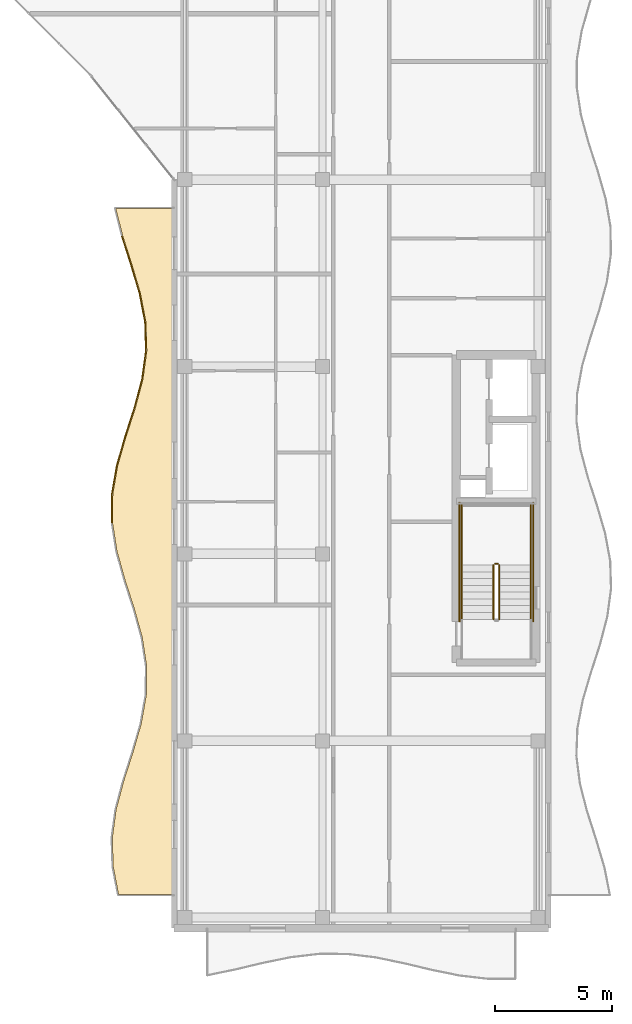
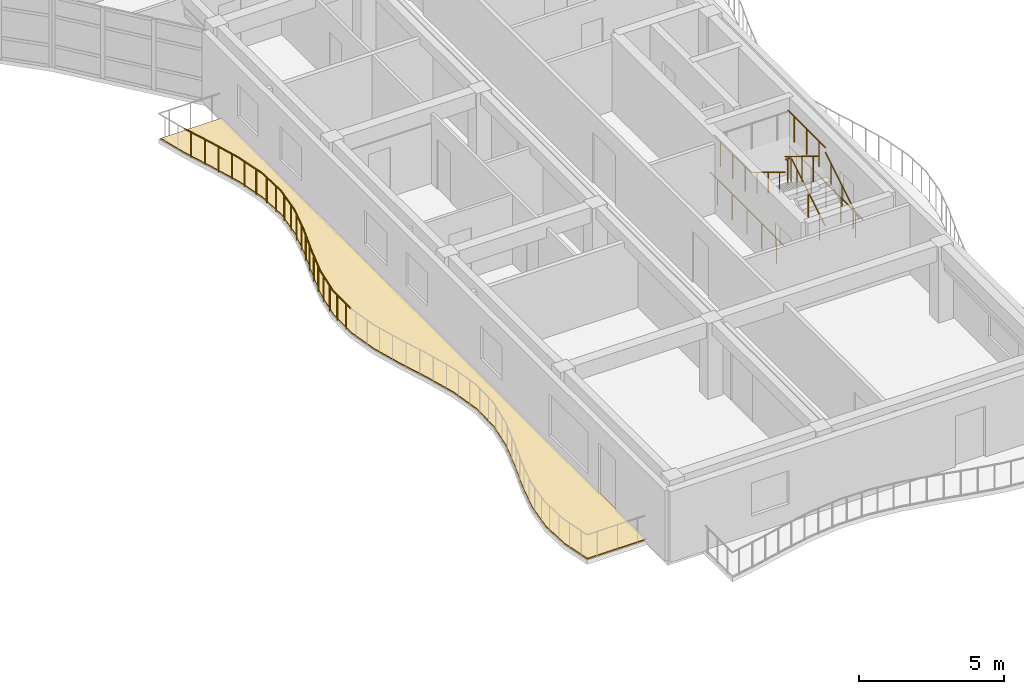
# One storey, part 66 of 71: 19 railings, 1 covering.
"""IFC4 building model written with IfcOpenShell, lengths in metres."""

from ifc_helpers import new_model, si_unit, direction, frame, origin, origin_2d, place, context, subcontext, project, spatial, polyline, circle, outline, extrude, material, layer, layer_set, type_object, element, save


model = new_model("IFC4")

# Units and contexts
model_context = context("Model", 3, precision=1e-05, world=origin(), true_north=direction((0.0, 1.0)))
body_context = subcontext(model_context, "Body", "Model", "MODEL_VIEW")
ifc_project = project(units=[si_unit("LENGTHUNIT", "METRE"), si_unit("AREAUNIT", "SQUARE_METRE"), si_unit("VOLUMEUNIT", "CUBIC_METRE"), si_unit("PLANEANGLEUNIT", "RADIAN"), si_unit("MASSUNIT", "GRAM", prefix="KILO")], contexts=[model_context])

# Site, building, storey
site_placement = place(None, origin())
site = spatial("IfcSite", under=ifc_project, at=site_placement, CompositionType="ELEMENT")
building_placement = place(site_placement, origin())
building = spatial("IfcBuilding", under=site, at=building_placement, Name="Keldmere Railside Commons", CompositionType="ELEMENT")
storey_placement = place(building_placement, frame((0.0, 0.0, 20.159912109375)))
storey = spatial("IfcBuildingStorey", under=building, at=storey_placement, Name="L06", CompositionType="ELEMENT", Elevation=20.159912109375)

# Railings
ifc_material_1 = material(Name="Steel F-24 (S235)", Category="steel")
railing_type_1 = type_object("IfcRailingType", Name="Balcony & Terrace Steel Balustrade 1100", PredefinedType="BALUSTRADE", material=ifc_material_1)
railing_1_placement = place(storey_placement, frame((165.3212890625, 73.324951171875, 0.0)))
element("IfcRailing", 1, at=railing_1_placement, inside=storey, type_object=railing_type_1, Name="GR-1 GRD-L06-3866", PredefinedType="BALUSTRADE", context=body_context, shape_type="SweptSolid", body=[
    extrude(circle(Radius=0.02392578125, at=origin_2d()), frame((0.0, 0.0, 1.076171875), z_axis=(0.009166613659, 0.999957985714, 0.0), x_axis=(-0.999957985714, 0.009166613659, 0.0)), (0.0, 0.0, 1.0), 1.22509765625),
    extrude(circle(Radius=0.02099609375, at=origin_2d()), frame((0.0029296875, 0.30615234375, 0.0)), (0.0, 0.0, 1.0), 1.048095703125),
    extrude(circle(Radius=0.02099609375, at=origin_2d()), frame((0.00830078125, 0.9189453125, 0.0)), (0.0, 0.0, 1.0), 1.048095703125),
])
railing_2_placement = place(storey_placement, frame((165.33251953125, 74.550048828125, 0.0)))
element("IfcRailing", 2, at=railing_2_placement, inside=storey, type_object=railing_type_1, Name="GR-1 GRD-L06-3867", PredefinedType="BALUSTRADE", context=body_context, shape_type="SweptSolid", body=[
    extrude(circle(Radius=0.02392578125, at=origin_2d()), frame((0.0, 0.0, 1.076171875), z_axis=(0.170288385759, 0.985394269151, 0.0), x_axis=(-0.985394269151, 0.170288385759, 0.0)), (0.0, 0.0, 1.0), 1.242919921875),
    extrude(circle(Radius=0.02099609375, at=origin_2d()), frame((0.052978515625, 0.30615234375, 0.0)), (0.0, 0.0, 1.0), 1.048095703125),
    extrude(circle(Radius=0.02099609375, at=origin_2d()), frame((0.15869140625, 0.918701171875, 0.0)), (0.0, 0.0, 1.0), 1.048095703125),
])
railing_3_placement = place(storey_placement, frame((165.544189453125, 75.77490234375, 0.0)))
element("IfcRailing", 3, at=railing_3_placement, inside=storey, type_object=railing_type_1, Name="GR-1 GRD-L06-3868", PredefinedType="BALUSTRADE", context=body_context, shape_type="SweptSolid", body=[
    extrude(circle(Radius=0.02392578125, at=origin_2d()), frame((0.0, 0.0, 1.076171875), z_axis=(0.27654179576, 0.96100189136, 0.0), x_axis=(-0.96100189136, 0.27654179576, 0.0)), (0.0, 0.0, 1.0), 1.27490234375),
    extrude(circle(Radius=0.02099609375, at=origin_2d()), frame((0.088134765625, 0.30615234375, 0.0)), (0.0, 0.0, 1.0), 1.048095703125),
    extrude(circle(Radius=0.02099609375, at=origin_2d()), frame((0.264404296875, 0.9189453125, 0.0)), (0.0, 0.0, 1.0), 1.048095703125),
])
railing_4_placement = place(storey_placement, frame((165.896728515625, 77.0, 0.0)))
element("IfcRailing", 4, at=railing_4_placement, inside=storey, type_object=railing_type_1, Name="GR-1 GRD-L06-3869", PredefinedType="BALUSTRADE", context=body_context, shape_type="SweptSolid", body=[
    extrude(circle(Radius=0.02392578125, at=origin_2d()), frame((0.0, 0.0, 1.076171875), z_axis=(0.307052651276, 0.951692528785, 0.0), x_axis=(-0.951692528785, 0.307052651276, 0.0)), (0.0, 0.0, 1.0), 1.287353515625),
    extrude(circle(Radius=0.02099609375, at=origin_2d()), frame((0.098876953125, 0.30615234375, 0.0)), (0.0, 0.0, 1.0), 1.048095703125),
    extrude(circle(Radius=0.02099609375, at=origin_2d()), frame((0.29638671875, 0.9189453125, 0.0)), (0.0, 0.0, 1.0), 1.048095703125),
])
railing_5_placement = place(storey_placement, frame((166.2919921875, 78.22509765625, 0.0)))
element("IfcRailing", 5, at=railing_5_placement, inside=storey, type_object=railing_type_1, Name="GR-1 GRD-L06-3870", PredefinedType="BALUSTRADE", context=body_context, shape_type="SweptSolid", body=[
    extrude(circle(Radius=0.02392578125, at=origin_2d()), frame((0.0, 0.0, 1.076171875), z_axis=(0.258585301566, 0.965988427371, 0.0), x_axis=(-0.965988427371, 0.258585301566, 0.0)), (0.0, 0.0, 1.0), 1.26806640625),
    extrude(circle(Radius=0.02099609375, at=origin_2d()), frame((0.08203125, 0.30615234375, 0.0)), (0.0, 0.0, 1.0), 1.048095703125),
    extrude(circle(Radius=0.02099609375, at=origin_2d()), frame((0.245849609375, 0.918701171875, 0.0)), (0.0, 0.0, 1.0), 1.048095703125),
])
railing_6_placement = place(storey_placement, frame((166.619873046875, 79.449951171875, 0.0)))
element("IfcRailing", 6, at=railing_6_placement, inside=storey, type_object=railing_type_1, Name="GR-1 GRD-L06-3871", PredefinedType="BALUSTRADE", context=body_context, shape_type="SweptSolid", body=[
    extrude(circle(Radius=0.02392578125, at=origin_2d()), frame((0.0, 0.0, 1.076171875), z_axis=(0.136610675902, 0.990624814564, 0.0), x_axis=(-0.990624814564, 0.136610675902, 0.0)), (0.0, 0.0, 1.0), 1.236572265625),
    extrude(circle(Radius=0.02099609375, at=origin_2d()), frame((0.042236328125, 0.30615234375, 0.0)), (0.0, 0.0, 1.0), 1.048095703125),
    extrude(circle(Radius=0.02099609375, at=origin_2d()), frame((0.126708984375, 0.9189453125, 0.0)), (0.0, 0.0, 1.0), 1.048095703125),
])
railing_7_placement = place(storey_placement, frame((166.788818359375, 80.675048828125, 0.0)))
element("IfcRailing", 7, at=railing_7_placement, inside=storey, type_object=railing_type_1, Name="GR-1 GRD-L06-3872", PredefinedType="BALUSTRADE", context=body_context, shape_type="SweptSolid", body=[
    extrude(circle(Radius=0.02392578125, at=origin_2d()), frame((0.0, 0.0, 1.076171875), z_axis=(-0.030283094879, 0.999541361908, 0.0), x_axis=(-0.999541361908, -0.030283094879, 0.0)), (0.0, 0.0, 1.0), 1.225341796875),
    extrude(circle(Radius=0.02099609375, at=origin_2d()), frame((-0.00927734375, 0.30615234375, 0.0)), (0.0, 0.0, 1.0), 1.048095703125),
    extrude(circle(Radius=0.02099609375, at=origin_2d()), frame((-0.02783203125, 0.918701171875, 0.0)), (0.0, 0.0, 1.0), 1.048095703125),
])
railing_8_placement = place(storey_placement, frame((166.751708984375, 81.89990234375, 0.0)))
element("IfcRailing", 8, at=railing_8_placement, inside=storey, type_object=railing_type_1, Name="GR-1 GRD-L06-3873", PredefinedType="BALUSTRADE", context=body_context, shape_type="SweptSolid", body=[
    extrude(circle(Radius=0.02392578125, at=origin_2d()), frame((0.0, 0.0, 1.076171875), z_axis=(-0.186959174658, 0.982367684226, 0.0), x_axis=(-0.982367684226, -0.186959174658, 0.0)), (0.0, 0.0, 1.0), 1.2470703125),
    extrude(circle(Radius=0.02099609375, at=origin_2d()), frame((-0.058349609375, 0.30615234375, 0.0)), (0.0, 0.0, 1.0), 1.048095703125),
    extrude(circle(Radius=0.02099609375, at=origin_2d()), frame((-0.1748046875, 0.9189453125, 0.0)), (0.0, 0.0, 1.0), 1.048095703125),
])
railing_9_placement = place(storey_placement, frame((166.5185546875, 83.125, 0.0)))
element("IfcRailing", 9, at=railing_9_placement, inside=storey, type_object=railing_type_1, Name="GR-1 GRD-L06-3874", PredefinedType="BALUSTRADE", context=body_context, shape_type="SweptSolid", body=[
    extrude(circle(Radius=0.02392578125, at=origin_2d()), frame((0.0, 0.0, 1.076171875), z_axis=(-0.284472091544, 0.958684321939, 0.0), x_axis=(-0.958684321939, -0.284472091544, 0.0)), (0.0, 0.0, 1.0), 1.27783203125),
    extrude(circle(Radius=0.02099609375, at=origin_2d()), frame((-0.0908203125, 0.30615234375, 0.0)), (0.0, 0.0, 1.0), 1.048095703125),
    extrude(circle(Radius=0.02099609375, at=origin_2d()), frame((-0.272705078125, 0.9189453125, 0.0)), (0.0, 0.0, 1.0), 1.048095703125),
])
railing_10_placement = place(storey_placement, frame((166.155029296875, 84.35009765625, 0.0)))
element("IfcRailing", 10, at=railing_10_placement, inside=storey, type_object=railing_type_1, Name="GR-1 GRD-L06-3875", PredefinedType="BALUSTRADE", context=body_context, shape_type="SweptSolid", body=[
    extrude(circle(Radius=0.02392578125, at=origin_2d()), frame((0.0, 0.0, 1.076171875), z_axis=(-0.305560673393, 0.952172607711, 0.0), x_axis=(-0.952172607711, -0.305560673393, 0.0)), (0.0, 0.0, 1.0), 1.286376953125),
    extrude(circle(Radius=0.02099609375, at=origin_2d()), frame((-0.09814453125, 0.30615234375, 0.0)), (0.0, 0.0, 1.0), 1.048095703125),
    extrude(circle(Radius=0.02099609375, at=origin_2d()), frame((-0.294921875, 0.918701171875, 0.0)), (0.0, 0.0, 1.0), 1.048095703125),
])
railing_type_2 = type_object("IfcRailingType", Name="Stair Well Steel Guardrail 1100", PredefinedType="BALUSTRADE", material=ifc_material_1)
railing_11_placement = place(storey_placement, frame((181.89990234375, 69.199951171875, 0.177978515625)))
element("IfcRailing", 11, at=railing_11_placement, inside=storey, type_object=railing_type_2, Name="L06 ST-A1 stair guard 1", PredefinedType="BALUSTRADE", context=body_context, shape_type="SweptSolid", body=[
    extrude(circle(Radius=0.02392578125, at=origin_2d()), frame((0.0, 0.0, 1.076171875), z_axis=(0.0, 0.852578041948, 0.522599925744), x_axis=(-1.0, 0.0, 0.0)), (0.0, 0.0, 1.0), 2.72119140625),
    extrude(circle(Radius=0.02099609375, at=origin_2d()), frame((0.0, 0.38671875, 0.237060546875)), (0.0, 0.0, 1.0), 1.048095703125),
    extrude(circle(Radius=0.02099609375, at=origin_2d()), frame((0.0, 1.16015625, 0.7109375)), (0.0, 0.0, 1.0), 1.048095703125),
    extrude(circle(Radius=0.02099609375, at=origin_2d()), frame((0.0, 1.933349609375, 1.18505859375)), (0.0, 0.0, 1.0), 1.048095703125),
])
railing_12_placement = place(storey_placement, frame((181.85009765625, 71.570068359375, 1.60009765625)))
element("IfcRailing", 12, at=railing_12_placement, inside=storey, type_object=railing_type_2, Name="L06 ST-A1 stair guard 2", PredefinedType="BALUSTRADE", context=body_context, shape_type="SweptSolid", body=[
    extrude(circle(Radius=0.02392578125, at=origin_2d()), frame((0.0, 0.0, 1.076171875), z_axis=(-1.0, 0.0, 0.0), x_axis=(0.0, -1.0, 0.0)), (0.0, 0.0, 1.0), 0.150146484375),
    extrude(circle(Radius=0.02099609375, at=origin_2d()), frame((-0.0751953125, 0.0, 0.0)), (0.0, 0.0, 1.0), 1.048095703125),
])
for number, where, name in (
    (13, (183.25, 71.52001953125, 1.60009765625), "L06 ST-A1 stair guard 3"),
    (14, (180.300048828125, 71.52001953125, 1.60009765625), "L06 ST-A1 stair guard 4"),
):
    element("IfcRailing", number, at=place(storey_placement, frame(where)), inside=storey, type_object=railing_type_2, Name=name, PredefinedType="BALUSTRADE", context=body_context, shape_type="SweptSolid", body=[
        extrude(circle(Radius=0.02392578125, at=origin_2d()), frame((0.0, 0.0, 1.076171875), z_axis=(0.0, 1.0, 0.0), x_axis=(-1.0, 0.0, 0.0)), (0.0, 0.0, 1.0), 2.580078125),
        extrude(circle(Radius=0.02099609375, at=origin_2d()), frame((0.0, 0.429931640625, 0.0)), (0.0, 0.0, 1.0), 1.048095703125),
        extrude(circle(Radius=0.02099609375, at=origin_2d()), frame((0.0, 1.2900390625, 0.0)), (0.0, 0.0, 1.0), 1.048095703125),
        extrude(circle(Radius=0.02099609375, at=origin_2d()), frame((0.0, 2.150146484375, 0.0)), (0.0, 0.0, 1.0), 1.048095703125),
    ])
railing_13_placement = place(storey_placement, frame((181.64990234375, 71.52001953125, 1.77783203125)))
element("IfcRailing", 15, at=railing_13_placement, inside=storey, type_object=railing_type_2, Name="L06 ST-A1 stair guard 6", PredefinedType="BALUSTRADE", context=body_context, shape_type="SweptSolid", body=[
    extrude(circle(Radius=0.02392578125, at=origin_2d()), frame((0.0, 0.0, 1.076171875), z_axis=(0.0, -0.852538067394, 0.522665135287), x_axis=(1.0, 0.0, 0.0)), (0.0, 0.0, 1.0), 2.721435546875),
    extrude(circle(Radius=0.02099609375, at=origin_2d()), frame((0.0, -0.38671875, 0.237060546875)), (0.0, 0.0, 1.0), 1.048095703125),
    extrude(circle(Radius=0.02099609375, at=origin_2d()), frame((0.0, -1.16015625, 0.711181640625)), (0.0, 0.0, 1.0), 1.048095703125),
    extrude(circle(Radius=0.02099609375, at=origin_2d()), frame((0.0, -1.933349609375, 1.185302734375)), (0.0, 0.0, 1.0), 1.048095703125),
])
for number, where, name in (
    (16, (183.35009765625, 69.10009765625, 0.0), "L06 ST-A1 stair guard 10"),
    (17, (180.199951171875, 69.10009765625, 0.0), "L06 ST-A1 stair guard 11"),
):
    element("IfcRailing", number, at=place(storey_placement, frame(where)), inside=storey, type_object=railing_type_2, Name=name, PredefinedType="BALUSTRADE", context=body_context, shape_type="SweptSolid", body=[
        extrude(circle(Radius=0.02392578125, at=origin_2d()), frame((0.0, 0.0, 1.076171875), z_axis=(0.0, 1.0, 0.0), x_axis=(-1.0, 0.0, 0.0)), (0.0, 0.0, 1.0), 5.099853515625),
        extrude(circle(Radius=0.02099609375, at=origin_2d()), frame((0.0, 0.510009765625, 0.0)), (0.0, 0.0, 1.0), 1.048095703125),
        extrude(circle(Radius=0.02099609375, at=origin_2d()), frame((0.0, 1.530029296875, 0.0)), (0.0, 0.0, 1.0), 1.048095703125),
        extrude(circle(Radius=0.02099609375, at=origin_2d()), frame((0.0, 2.5498046875, 0.0)), (0.0, 0.0, 1.0), 1.048095703125),
        extrude(circle(Radius=0.02099609375, at=origin_2d()), frame((0.0, 3.56982421875, 0.0)), (0.0, 0.0, 1.0), 1.048095703125),
        extrude(circle(Radius=0.02099609375, at=origin_2d()), frame((0.0, 4.58984375, 0.0)), (0.0, 0.0, 1.0), 1.048095703125),
    ])
railing_type_3 = type_object("IfcRailingType", Name="Wall-Mounted Tubular Steel Handrail 900", PredefinedType="HANDRAIL", material=ifc_material_1)
railing_14_placement = place(storey_placement, frame((183.25, 69.199951171875, 0.177978515625)))
element("IfcRailing", 18, at=railing_14_placement, inside=storey, type_object=railing_type_3, Name="L06 ST-A1 stair handrail 1", PredefinedType="HANDRAIL", context=body_context, shape_type="SweptSolid", body=[
    extrude(circle(Radius=0.02392578125, at=origin_2d()), frame((0.0, 0.0, 0.8759765625), z_axis=(0.0, 0.852578041948, 0.522599925744), x_axis=(-1.0, 0.0, 0.0)), (0.0, 0.0, 1.0), 2.72119140625),
    extrude(circle(Radius=0.02099609375, at=origin_2d()), frame((0.0, 0.38671875, 0.237060546875)), (0.0, 0.0, 1.0), 0.847900390625),
    extrude(circle(Radius=0.02099609375, at=origin_2d()), frame((0.0, 1.16015625, 0.7109375)), (0.0, 0.0, 1.0), 0.847900390625),
    extrude(circle(Radius=0.02099609375, at=origin_2d()), frame((0.0, 1.933349609375, 1.18505859375)), (0.0, 0.0, 1.0), 0.847900390625),
])
railing_15_placement = place(storey_placement, frame((180.300048828125, 71.52001953125, 1.77783203125)))
element("IfcRailing", 19, at=railing_15_placement, inside=storey, type_object=railing_type_3, Name="L06 ST-A1 stair handrail 2", PredefinedType="HANDRAIL", context=body_context, shape_type="SweptSolid", body=[
    extrude(circle(Radius=0.02392578125, at=origin_2d()), frame((0.0, 0.0, 0.8759765625), z_axis=(0.0, -0.852538067394, 0.522665135287), x_axis=(1.0, 0.0, 0.0)), (0.0, 0.0, 1.0), 2.721435546875),
    extrude(circle(Radius=0.02099609375, at=origin_2d()), frame((0.0, -0.38671875, 0.237060546875)), (0.0, 0.0, 1.0), 0.847900390625),
    extrude(circle(Radius=0.02099609375, at=origin_2d()), frame((0.0, -1.16015625, 0.711181640625)), (0.0, 0.0, 1.0), 0.847900390625),
    extrude(circle(Radius=0.02099609375, at=origin_2d()), frame((0.0, -1.933349609375, 1.185302734375)), (0.0, 0.0, 1.0), 0.847900390625),
])

# Covering
ifc_material_2 = material(Name="White Precast Concrete C35/45", Category="concrete")
ifc_layer = layer(ifc_material_2, 0.044921875, Name="White Architectural Balcony Ribbon Cladding 45")
ifc_layer_set = layer_set([ifc_layer], Name="White Precast Concrete C35/45")
covering_type = type_object("IfcCoveringType", Name="White Architectural Balcony Ribbon Cladding 45", PredefinedType="FLOORING", material=ifc_layer_set)
covering_placement = place(storey_placement, origin())
element("IfcCovering", 20, at=covering_placement, inside=storey, type_object=covering_type, Name="CLG-WB A L06 CW White Balcony Ribbon", PredefinedType="FLOORING", context=body_context, shape_type="SweptSolid", body=[
    extrude(outline(polyline([(167.9599609375, 86.760009765625), (165.5009765625, 86.760009765625), (165.800537109375, 85.586181640625), (166.193115234375, 84.3623046875), (166.193359375, 84.361328125), (166.556884765625, 83.136474609375), (166.557861328125, 83.132568359375), (166.791015625, 81.907470703125), (166.79150390625, 81.904296875), (166.79150390625, 81.901123046875), (166.828857421875, 80.67626953125), (166.82861328125, 80.6728515625), (166.828369140625, 80.66943359375), (166.659423828125, 79.444580078125), (166.658447265625, 79.439697265625), (166.330810546875, 78.214599609375), (166.330078125, 78.212646484375), (165.93505859375, 76.98828125), (165.5830078125, 75.76611328125), (165.37255859375, 74.54638671875), (165.361083984375, 73.327880859375), (165.552490234375, 72.1083984375), (165.893310546875, 70.886474609375), (166.2890625, 69.662353515625), (166.28955078125, 69.66064453125), (166.62939453125, 68.435791015625), (166.630615234375, 68.43115234375), (166.819580078125, 67.2060546875), (166.820068359375, 67.202880859375), (166.8203125, 67.199462890625), (166.8056640625, 65.974609375), (166.805419921875, 65.97119140625), (166.804931640625, 65.968017578125), (166.5908203125, 64.7431640625), (166.58984375, 64.739013671875), (166.23583984375, 63.513916015625), (166.235595703125, 63.5126953125), (165.840576171875, 62.288818359375), (165.515380859375, 61.067138671875), (165.350341796875, 59.847900390625), (165.390380859375, 58.62939453125), (165.619140625, 57.43994140625), (167.9599609375, 57.43994140625), (167.9599609375, 86.760009765625)])), origin(), (0.0, 0.0, 1.0), 0.045166015625),
])

save(model, "model.ifc")
